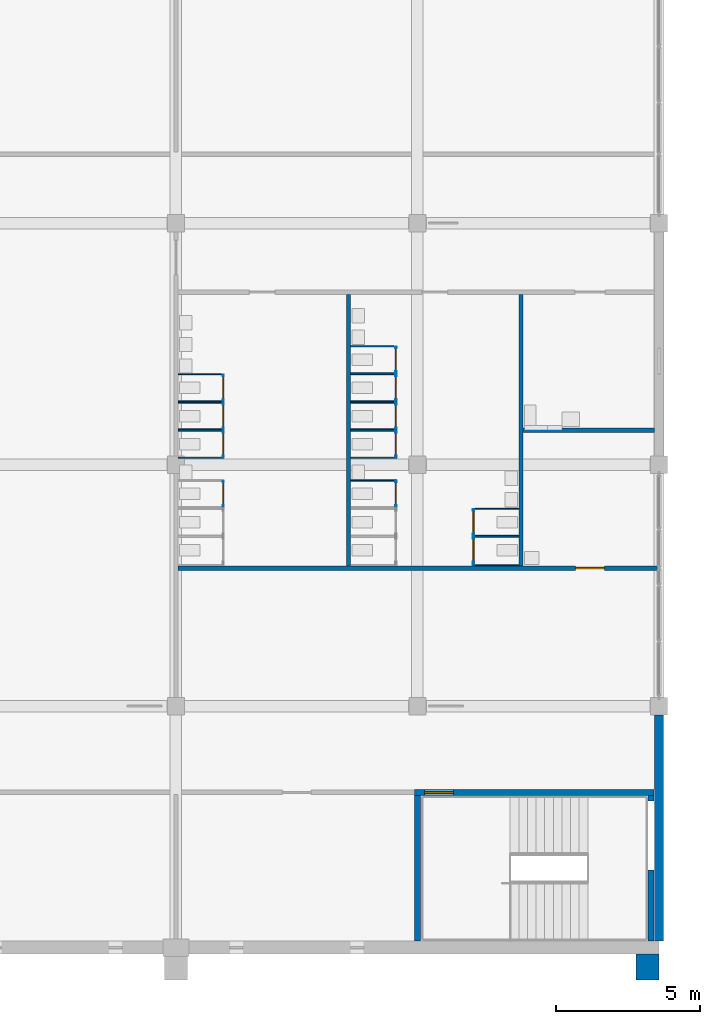
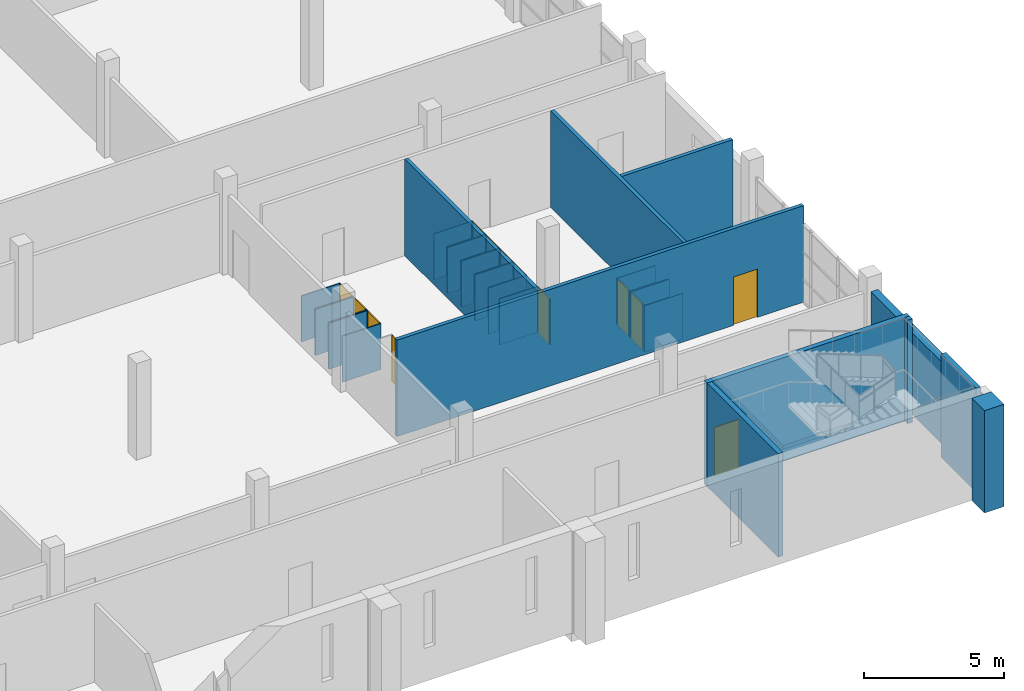
# One storey, part 27 of 56: 40 walls, 13 doors, 13 openings.
"""IFC4 building model written with IfcOpenShell, lengths in metres."""

from ifc_helpers import new_model, si_unit, direction, frame, frame_2d, origin, place, context, subcontext, project, spatial, rectangle, extrude, material, layer, layer_set, type_object, element, fill, save


model = new_model("IFC4")

# Units and contexts
model_context = context("Model", 3, precision=1e-05, world=origin(), true_north=direction((0.0, 1.0)))
body_context = subcontext(model_context, "Body", "Model", "MODEL_VIEW")
ifc_project = project(units=[si_unit("LENGTHUNIT", "METRE"), si_unit("AREAUNIT", "SQUARE_METRE"), si_unit("VOLUMEUNIT", "CUBIC_METRE"), si_unit("PLANEANGLEUNIT", "RADIAN"), si_unit("MASSUNIT", "GRAM", prefix="KILO")], contexts=[model_context])

# Site, building, storey
site_placement = place(None, origin())
site = spatial("IfcSite", under=ifc_project, at=site_placement, CompositionType="ELEMENT")
building_placement = place(site_placement, origin())
building = spatial("IfcBuilding", under=site, at=building_placement, Name="Rulbaag Community and Learning Centre", CompositionType="ELEMENT")
storey_placement = place(building_placement, frame((0.0, 0.0, 9.89990234375)))
storey = spatial("IfcBuildingStorey", under=building, at=storey_placement, Name="L02", CompositionType="ELEMENT", Elevation=9.89990234375)

# Wall, opening, door
ifc_material_1 = material(Name="High pressure laminate", Category="wood")
ifc_layer_1 = layer(ifc_material_1, 0.0400390625)
ifc_layer_set_1 = layer_set([ifc_layer_1], Name="CP-40")
wall_type_1 = type_object("IfcWallType", Name="CP-40", PredefinedType="PARTITIONING", material=ifc_layer_set_1)
wall_1_placement = place(storey_placement, frame((152.85009765625, 15.330078125, 0.0), z_axis=(0.0, 0.0, 1.0), x_axis=(0.0, 1.0, 0.0)))
wall_1 = element("IfcWall", 1, at=wall_1_placement, inside=storey, type_object=wall_type_1, Name="Cubicle partition", PredefinedType="PARTITIONING", context=body_context, shape_type="SweptSolid", body=[
    extrude(rectangle(XDim=0.89990234375, YDim=0.0400390625, at=frame_2d((0.449951171875, 0.0))), origin(), (0.0, 0.0, 1.0), 2.0),
])
opening_1_placement = place(wall_1_placement, frame((0.050048828125, 0.0, 0.0)))
opening_1 = element("IfcOpeningElement", 2, at=opening_1_placement, cuts=wall_1, Name="Opening L02-D099", PredefinedType="OPENING", context=body_context, shape_type="SweptSolid", body=[
    extrude(rectangle(XDim=0.800048828125, YDim=2.0, at=frame_2d((0.39990234375, 1.0))), frame((0.0, 0.030029296875, 0.0), z_axis=(0.0, -1.0, 0.0), x_axis=(1.0, 0.0, 0.0)), (0.0, 0.0, 1.0), 0.06005859375),
])
door_type_1 = type_object("IfcDoorType", Name="DC-80", OperationType="SINGLE_SWING_LEFT", PredefinedType="DOOR", material=ifc_material_1)
door_1_placement = place(opening_1_placement, origin())
door_1 = element("IfcDoor", 3, at=door_1_placement, inside=storey, type_object=door_type_1, Name="Cubicle door", OperationType="SINGLE_SWING_LEFT", OverallHeight=2.0, OverallWidth=0.800048828125, PredefinedType="DOOR", context=body_context, shape_type="SweptSolid", body=[
    extrude(rectangle(XDim=0.800048828125, YDim=2.0, at=frame_2d((0.39990234375, 1.0))), frame((0.0, 0.019775390625, 0.0), z_axis=(0.0, -1.0, 0.0), x_axis=(1.0, 0.0, 0.0)), (0.0, 0.0, 1.0), 0.03955078125),
])
fill(opening_1, door_1)

# Walls
for number, where, z_axis, x_axis, name in (
    (4, (151.27490234375, 17.0400390625, 0.0), (0.0, 0.0, 1.0), (1.0, 0.0, 0.0), "Cubicle partition"),
    (5, (151.27490234375, 17.97998046875, 0.0), (0.0, 0.0, 1.0), (1.0, 0.0, 0.0), "Cubicle partition"),
):
    element("IfcWall", number, at=place(storey_placement, frame(where, z_axis=z_axis, x_axis=x_axis)), inside=storey, type_object=wall_type_1, Name=name, PredefinedType="PARTITIONING", context=body_context, shape_type="SweptSolid", body=[
        extrude(rectangle(XDim=1.59521484375, YDim=0.0400390625, at=frame_2d((0.797607421875, 0.0))), origin(), (0.0, 0.0, 1.0), 2.0),
    ])

# Wall, opening, door
wall_2_placement = place(storey_placement, frame((152.85009765625, 17.06005859375, 0.0), z_axis=(0.0, 0.0, 1.0), x_axis=(0.0, 1.0, 0.0)))
wall_2 = element("IfcWall", 6, at=wall_2_placement, inside=storey, type_object=wall_type_1, Name="Cubicle partition", PredefinedType="PARTITIONING", context=body_context, shape_type="SweptSolid", body=[
    extrude(rectangle(XDim=0.89990234375, YDim=0.0400390625, at=frame_2d((0.449951171875, 0.0))), origin(), (0.0, 0.0, 1.0), 2.0),
])
opening_2_placement = place(wall_2_placement, frame((0.050048828125, 0.0, 0.0)))
opening_2 = element("IfcOpeningElement", 7, at=opening_2_placement, cuts=wall_2, Name="Opening L02-D100", PredefinedType="OPENING", context=body_context, shape_type="SweptSolid", body=[
    extrude(rectangle(XDim=0.800048828125, YDim=2.0, at=frame_2d((0.39990234375, 1.0))), frame((0.0, 0.030029296875, 0.0), z_axis=(0.0, -1.0, 0.0), x_axis=(1.0, 0.0, 0.0)), (0.0, 0.0, 1.0), 0.06005859375),
])
door_2_placement = place(opening_2_placement, origin())
door_2 = element("IfcDoor", 8, at=door_2_placement, inside=storey, type_object=door_type_1, Name="Cubicle door", OperationType="SINGLE_SWING_LEFT", OverallHeight=2.0, OverallWidth=0.800048828125, PredefinedType="DOOR", context=body_context, shape_type="SweptSolid", body=[
    extrude(rectangle(XDim=0.800048828125, YDim=2.0, at=frame_2d((0.39990234375, 1.0))), frame((0.0, 0.019775390625, 0.0), z_axis=(0.0, -1.0, 0.0), x_axis=(1.0, 0.0, 0.0)), (0.0, 0.0, 1.0), 0.03955078125),
])
fill(opening_2, door_2)

# Walls
for number, where, z_axis, x_axis, name in (
    (9, (151.27490234375, 18.02001953125, 0.0), (0.0, 0.0, 1.0), (1.0, 0.0, 0.0), "Cubicle partition"),
    (10, (151.27490234375, 18.9599609375, 0.0), (0.0, 0.0, 1.0), (1.0, 0.0, 0.0), "Cubicle partition"),
):
    element("IfcWall", number, at=place(storey_placement, frame(where, z_axis=z_axis, x_axis=x_axis)), inside=storey, type_object=wall_type_1, Name=name, PredefinedType="PARTITIONING", context=body_context, shape_type="SweptSolid", body=[
        extrude(rectangle(XDim=1.59521484375, YDim=0.0400390625, at=frame_2d((0.797607421875, 0.0))), origin(), (0.0, 0.0, 1.0), 2.0),
    ])

# Wall, opening, door
wall_3_placement = place(storey_placement, frame((152.85009765625, 18.0400390625, 0.0), z_axis=(0.0, 0.0, 1.0), x_axis=(0.0, 1.0, 0.0)))
wall_3 = element("IfcWall", 11, at=wall_3_placement, inside=storey, type_object=wall_type_1, Name="Cubicle partition", PredefinedType="PARTITIONING", context=body_context, shape_type="SweptSolid", body=[
    extrude(rectangle(XDim=0.89990234375, YDim=0.0400390625, at=frame_2d((0.449951171875, 0.0))), origin(), (0.0, 0.0, 1.0), 2.0),
])
opening_3_placement = place(wall_3_placement, frame((0.050048828125, 0.0, 0.0)))
opening_3 = element("IfcOpeningElement", 12, at=opening_3_placement, cuts=wall_3, Name="Opening L02-D101", PredefinedType="OPENING", context=body_context, shape_type="SweptSolid", body=[
    extrude(rectangle(XDim=0.800048828125, YDim=2.0, at=frame_2d((0.39990234375, 1.0))), frame((0.0, 0.030029296875, 0.0), z_axis=(0.0, -1.0, 0.0), x_axis=(1.0, 0.0, 0.0)), (0.0, 0.0, 1.0), 0.06005859375),
])
door_3_placement = place(opening_3_placement, origin())
door_3 = element("IfcDoor", 13, at=door_3_placement, inside=storey, type_object=door_type_1, Name="Cubicle door", OperationType="SINGLE_SWING_LEFT", OverallHeight=2.0, OverallWidth=0.800048828125, PredefinedType="DOOR", context=body_context, shape_type="SweptSolid", body=[
    extrude(rectangle(XDim=0.800048828125, YDim=2.0, at=frame_2d((0.39990234375, 1.0))), frame((0.0, 0.019775390625, 0.0), z_axis=(0.0, -1.0, 0.0), x_axis=(1.0, 0.0, 0.0)), (0.0, 0.0, 1.0), 0.03955078125),
])
fill(opening_3, door_3)

# Walls
for number, where, z_axis, x_axis, name in (
    (14, (151.27490234375, 19.0, 0.0), (0.0, 0.0, 1.0), (1.0, 0.0, 0.0), "Cubicle partition"),
    (15, (151.27490234375, 19.93994140625, 0.0), (0.0, 0.0, 1.0), (1.0, 0.0, 0.0), "Cubicle partition"),
):
    element("IfcWall", number, at=place(storey_placement, frame(where, z_axis=z_axis, x_axis=x_axis)), inside=storey, type_object=wall_type_1, Name=name, PredefinedType="PARTITIONING", context=body_context, shape_type="SweptSolid", body=[
        extrude(rectangle(XDim=1.59521484375, YDim=0.0400390625, at=frame_2d((0.797607421875, 0.0))), origin(), (0.0, 0.0, 1.0), 2.0),
    ])

# Wall, opening, door
wall_4_placement = place(storey_placement, frame((152.85009765625, 19.02001953125, 0.0), z_axis=(0.0, 0.0, 1.0), x_axis=(0.0, 1.0, 0.0)))
wall_4 = element("IfcWall", 16, at=wall_4_placement, inside=storey, type_object=wall_type_1, Name="Cubicle partition", PredefinedType="PARTITIONING", context=body_context, shape_type="SweptSolid", body=[
    extrude(rectangle(XDim=0.89990234375, YDim=0.0400390625, at=frame_2d((0.449951171875, 0.0))), origin(), (0.0, 0.0, 1.0), 2.0),
])
opening_4_placement = place(wall_4_placement, frame((0.050048828125, 0.0, 0.0)))
opening_4 = element("IfcOpeningElement", 17, at=opening_4_placement, cuts=wall_4, Name="Opening L02-D102", PredefinedType="OPENING", context=body_context, shape_type="SweptSolid", body=[
    extrude(rectangle(XDim=0.800048828125, YDim=2.0, at=frame_2d((0.39990234375, 1.0))), frame((0.0, 0.030029296875, 0.0), z_axis=(0.0, -1.0, 0.0), x_axis=(1.0, 0.0, 0.0)), (0.0, 0.0, 1.0), 0.06005859375),
])
door_4_placement = place(opening_4_placement, origin())
door_4 = element("IfcDoor", 18, at=door_4_placement, inside=storey, type_object=door_type_1, Name="Cubicle door", OperationType="SINGLE_SWING_LEFT", OverallHeight=2.0, OverallWidth=0.800048828125, PredefinedType="DOOR", context=body_context, shape_type="SweptSolid", body=[
    extrude(rectangle(XDim=0.800048828125, YDim=2.0, at=frame_2d((0.39990234375, 1.0))), frame((0.0, 0.019775390625, 0.0), z_axis=(0.0, -1.0, 0.0), x_axis=(1.0, 0.0, 0.0)), (0.0, 0.0, 1.0), 0.03955078125),
])
fill(opening_4, door_4)

# Wall
wall_5_placement = place(storey_placement, frame((157.27490234375, 16.25, 0.0), z_axis=(0.0, 0.0, 1.0), x_axis=(1.0, 0.0, 0.0)))
element("IfcWall", 19, at=wall_5_placement, inside=storey, type_object=wall_type_1, Name="Cubicle partition", PredefinedType="PARTITIONING", context=body_context, shape_type="SweptSolid", body=[
    extrude(rectangle(XDim=1.59521484375, YDim=0.0400390625, at=frame_2d((0.797607421875, 0.0))), origin(), (0.0, 0.0, 1.0), 2.0),
])

# Wall, opening, door
wall_6_placement = place(storey_placement, frame((158.85009765625, 15.330078125, 0.0), z_axis=(0.0, 0.0, 1.0), x_axis=(0.0, 1.0, 0.0)))
wall_6 = element("IfcWall", 20, at=wall_6_placement, inside=storey, type_object=wall_type_1, Name="Cubicle partition", PredefinedType="PARTITIONING", context=body_context, shape_type="SweptSolid", body=[
    extrude(rectangle(XDim=0.89990234375, YDim=0.0400390625, at=frame_2d((0.449951171875, 0.0))), origin(), (0.0, 0.0, 1.0), 2.0),
])
opening_5_placement = place(wall_6_placement, frame((0.050048828125, 0.0, 0.0)))
opening_5 = element("IfcOpeningElement", 21, at=opening_5_placement, cuts=wall_6, Name="Opening L02-D113", PredefinedType="OPENING", context=body_context, shape_type="SweptSolid", body=[
    extrude(rectangle(XDim=0.800048828125, YDim=2.0, at=frame_2d((0.39990234375, 1.0))), frame((0.0, 0.030029296875, 0.0), z_axis=(0.0, -1.0, 0.0), x_axis=(1.0, 0.0, 0.0)), (0.0, 0.0, 1.0), 0.06005859375),
])
door_5_placement = place(opening_5_placement, origin())
door_5 = element("IfcDoor", 22, at=door_5_placement, inside=storey, type_object=door_type_1, Name="Cubicle door", OperationType="SINGLE_SWING_LEFT", OverallHeight=2.0, OverallWidth=0.800048828125, PredefinedType="DOOR", context=body_context, shape_type="SweptSolid", body=[
    extrude(rectangle(XDim=0.800048828125, YDim=2.0, at=frame_2d((0.39990234375, 1.0))), frame((0.0, 0.019775390625, 0.0), z_axis=(0.0, -1.0, 0.0), x_axis=(1.0, 0.0, 0.0)), (0.0, 0.0, 1.0), 0.03955078125),
])
fill(opening_5, door_5)

# Walls
for number, where, z_axis, x_axis, name in (
    (23, (157.27490234375, 17.0400390625, 0.0), (0.0, 0.0, 1.0), (1.0, 0.0, 0.0), "Cubicle partition"),
    (24, (157.27490234375, 17.97998046875, 0.0), (0.0, 0.0, 1.0), (1.0, 0.0, 0.0), "Cubicle partition"),
):
    element("IfcWall", number, at=place(storey_placement, frame(where, z_axis=z_axis, x_axis=x_axis)), inside=storey, type_object=wall_type_1, Name=name, PredefinedType="PARTITIONING", context=body_context, shape_type="SweptSolid", body=[
        extrude(rectangle(XDim=1.59521484375, YDim=0.0400390625, at=frame_2d((0.797607421875, 0.0))), origin(), (0.0, 0.0, 1.0), 2.0),
    ])

# Wall, opening, door
wall_7_placement = place(storey_placement, frame((158.85009765625, 17.06005859375, 0.0), z_axis=(0.0, 0.0, 1.0), x_axis=(0.0, 1.0, 0.0)))
wall_7 = element("IfcWall", 25, at=wall_7_placement, inside=storey, type_object=wall_type_1, Name="Cubicle partition", PredefinedType="PARTITIONING", context=body_context, shape_type="SweptSolid", body=[
    extrude(rectangle(XDim=0.89990234375, YDim=0.0400390625, at=frame_2d((0.449951171875, 0.0))), origin(), (0.0, 0.0, 1.0), 2.0),
])
opening_6_placement = place(wall_7_placement, frame((0.050048828125, 0.0, 0.0)))
opening_6 = element("IfcOpeningElement", 26, at=opening_6_placement, cuts=wall_7, Name="Opening L02-D114", PredefinedType="OPENING", context=body_context, shape_type="SweptSolid", body=[
    extrude(rectangle(XDim=0.800048828125, YDim=2.0, at=frame_2d((0.39990234375, 1.0))), frame((0.0, 0.030029296875, 0.0), z_axis=(0.0, -1.0, 0.0), x_axis=(1.0, 0.0, 0.0)), (0.0, 0.0, 1.0), 0.06005859375),
])
door_6_placement = place(opening_6_placement, origin())
door_6 = element("IfcDoor", 27, at=door_6_placement, inside=storey, type_object=door_type_1, Name="Cubicle door", OperationType="SINGLE_SWING_LEFT", OverallHeight=2.0, OverallWidth=0.800048828125, PredefinedType="DOOR", context=body_context, shape_type="SweptSolid", body=[
    extrude(rectangle(XDim=0.800048828125, YDim=2.0, at=frame_2d((0.39990234375, 1.0))), frame((0.0, 0.019775390625, 0.0), z_axis=(0.0, -1.0, 0.0), x_axis=(1.0, 0.0, 0.0)), (0.0, 0.0, 1.0), 0.03955078125),
])
fill(opening_6, door_6)

# Walls
for number, where, z_axis, x_axis, name in (
    (28, (157.27490234375, 18.02001953125, 0.0), (0.0, 0.0, 1.0), (1.0, 0.0, 0.0), "Cubicle partition"),
    (29, (157.27490234375, 18.9599609375, 0.0), (0.0, 0.0, 1.0), (1.0, 0.0, 0.0), "Cubicle partition"),
):
    element("IfcWall", number, at=place(storey_placement, frame(where, z_axis=z_axis, x_axis=x_axis)), inside=storey, type_object=wall_type_1, Name=name, PredefinedType="PARTITIONING", context=body_context, shape_type="SweptSolid", body=[
        extrude(rectangle(XDim=1.59521484375, YDim=0.0400390625, at=frame_2d((0.797607421875, 0.0))), origin(), (0.0, 0.0, 1.0), 2.0),
    ])

# Wall, opening, door
wall_8_placement = place(storey_placement, frame((158.85009765625, 18.0400390625, 0.0), z_axis=(0.0, 0.0, 1.0), x_axis=(0.0, 1.0, 0.0)))
wall_8 = element("IfcWall", 30, at=wall_8_placement, inside=storey, type_object=wall_type_1, Name="Cubicle partition", PredefinedType="PARTITIONING", context=body_context, shape_type="SweptSolid", body=[
    extrude(rectangle(XDim=0.89990234375, YDim=0.0400390625, at=frame_2d((0.449951171875, 0.0))), origin(), (0.0, 0.0, 1.0), 2.0),
])
opening_7_placement = place(wall_8_placement, frame((0.050048828125, 0.0, 0.0)))
opening_7 = element("IfcOpeningElement", 31, at=opening_7_placement, cuts=wall_8, Name="Opening L02-D115", PredefinedType="OPENING", context=body_context, shape_type="SweptSolid", body=[
    extrude(rectangle(XDim=0.800048828125, YDim=2.0, at=frame_2d((0.39990234375, 1.0))), frame((0.0, 0.030029296875, 0.0), z_axis=(0.0, -1.0, 0.0), x_axis=(1.0, 0.0, 0.0)), (0.0, 0.0, 1.0), 0.06005859375),
])
door_7_placement = place(opening_7_placement, origin())
door_7 = element("IfcDoor", 32, at=door_7_placement, inside=storey, type_object=door_type_1, Name="Cubicle door", OperationType="SINGLE_SWING_LEFT", OverallHeight=2.0, OverallWidth=0.800048828125, PredefinedType="DOOR", context=body_context, shape_type="SweptSolid", body=[
    extrude(rectangle(XDim=0.800048828125, YDim=2.0, at=frame_2d((0.39990234375, 1.0))), frame((0.0, 0.019775390625, 0.0), z_axis=(0.0, -1.0, 0.0), x_axis=(1.0, 0.0, 0.0)), (0.0, 0.0, 1.0), 0.03955078125),
])
fill(opening_7, door_7)

# Walls
for number, where, z_axis, x_axis, name in (
    (33, (157.27490234375, 19.0, 0.0), (0.0, 0.0, 1.0), (1.0, 0.0, 0.0), "Cubicle partition"),
    (34, (157.27490234375, 19.93994140625, 0.0), (0.0, 0.0, 1.0), (1.0, 0.0, 0.0), "Cubicle partition"),
):
    element("IfcWall", number, at=place(storey_placement, frame(where, z_axis=z_axis, x_axis=x_axis)), inside=storey, type_object=wall_type_1, Name=name, PredefinedType="PARTITIONING", context=body_context, shape_type="SweptSolid", body=[
        extrude(rectangle(XDim=1.59521484375, YDim=0.0400390625, at=frame_2d((0.797607421875, 0.0))), origin(), (0.0, 0.0, 1.0), 2.0),
    ])

# Wall, opening, door
wall_9_placement = place(storey_placement, frame((158.85009765625, 19.02001953125, 0.0), z_axis=(0.0, 0.0, 1.0), x_axis=(0.0, 1.0, 0.0)))
wall_9 = element("IfcWall", 35, at=wall_9_placement, inside=storey, type_object=wall_type_1, Name="Cubicle partition", PredefinedType="PARTITIONING", context=body_context, shape_type="SweptSolid", body=[
    extrude(rectangle(XDim=0.89990234375, YDim=0.0400390625, at=frame_2d((0.449951171875, 0.0))), origin(), (0.0, 0.0, 1.0), 2.0),
])
opening_8_placement = place(wall_9_placement, frame((0.050048828125, 0.0, 0.0)))
opening_8 = element("IfcOpeningElement", 36, at=opening_8_placement, cuts=wall_9, Name="Opening L02-D116", PredefinedType="OPENING", context=body_context, shape_type="SweptSolid", body=[
    extrude(rectangle(XDim=0.800048828125, YDim=2.0, at=frame_2d((0.39990234375, 1.0))), frame((0.0, 0.030029296875, 0.0), z_axis=(0.0, -1.0, 0.0), x_axis=(1.0, 0.0, 0.0)), (0.0, 0.0, 1.0), 0.06005859375),
])
door_8_placement = place(opening_8_placement, origin())
door_8 = element("IfcDoor", 37, at=door_8_placement, inside=storey, type_object=door_type_1, Name="Cubicle door", OperationType="SINGLE_SWING_LEFT", OverallHeight=2.0, OverallWidth=0.800048828125, PredefinedType="DOOR", context=body_context, shape_type="SweptSolid", body=[
    extrude(rectangle(XDim=0.800048828125, YDim=2.0, at=frame_2d((0.39990234375, 1.0))), frame((0.0, 0.019775390625, 0.0), z_axis=(0.0, -1.0, 0.0), x_axis=(1.0, 0.0, 0.0)), (0.0, 0.0, 1.0), 0.03955078125),
])
fill(opening_8, door_8)

# Walls
for number, where, z_axis, x_axis, name in (
    (38, (157.27490234375, 19.97998046875, 0.0), (0.0, 0.0, 1.0), (1.0, 0.0, 0.0), "Cubicle partition"),
    (39, (157.27490234375, 20.919921875, 0.0), (0.0, 0.0, 1.0), (1.0, 0.0, 0.0), "Cubicle partition"),
):
    element("IfcWall", number, at=place(storey_placement, frame(where, z_axis=z_axis, x_axis=x_axis)), inside=storey, type_object=wall_type_1, Name=name, PredefinedType="PARTITIONING", context=body_context, shape_type="SweptSolid", body=[
        extrude(rectangle(XDim=1.59521484375, YDim=0.0400390625, at=frame_2d((0.797607421875, 0.0))), origin(), (0.0, 0.0, 1.0), 2.0),
    ])

# Wall, opening, door
wall_10_placement = place(storey_placement, frame((158.85009765625, 20.0, 0.0), z_axis=(0.0, 0.0, 1.0), x_axis=(0.0, 1.0, 0.0)))
wall_10 = element("IfcWall", 40, at=wall_10_placement, inside=storey, type_object=wall_type_1, Name="Cubicle partition", PredefinedType="PARTITIONING", context=body_context, shape_type="SweptSolid", body=[
    extrude(rectangle(XDim=0.89990234375, YDim=0.0400390625, at=frame_2d((0.449951171875, 0.0))), origin(), (0.0, 0.0, 1.0), 2.0),
])
opening_9_placement = place(wall_10_placement, frame((0.050048828125, 0.0, 0.0)))
opening_9 = element("IfcOpeningElement", 41, at=opening_9_placement, cuts=wall_10, Name="Opening L02-D117", PredefinedType="OPENING", context=body_context, shape_type="SweptSolid", body=[
    extrude(rectangle(XDim=0.800048828125, YDim=2.0, at=frame_2d((0.39990234375, 1.0))), frame((0.0, 0.030029296875, 0.0), z_axis=(0.0, -1.0, 0.0), x_axis=(1.0, 0.0, 0.0)), (0.0, 0.0, 1.0), 0.06005859375),
])
door_9_placement = place(opening_9_placement, origin())
door_9 = element("IfcDoor", 42, at=door_9_placement, inside=storey, type_object=door_type_1, Name="Cubicle door", OperationType="SINGLE_SWING_LEFT", OverallHeight=2.0, OverallWidth=0.800048828125, PredefinedType="DOOR", context=body_context, shape_type="SweptSolid", body=[
    extrude(rectangle(XDim=0.800048828125, YDim=2.0, at=frame_2d((0.39990234375, 1.0))), frame((0.0, 0.019775390625, 0.0), z_axis=(0.0, -1.0, 0.0), x_axis=(1.0, 0.0, 0.0)), (0.0, 0.0, 1.0), 0.03955078125),
])
fill(opening_9, door_9)

# Walls
for number, where, z_axis, x_axis, name in (
    (43, (163.125, 13.294921875, 0.0), (0.0, 0.0, 1.0), (-1.0, 0.0, 0.0), "Cubicle partition"),
    (44, (163.125, 14.2900390625, 0.0), (0.0, 0.0, 1.0), (-1.0, 0.0, 0.0), "Cubicle partition"),
):
    element("IfcWall", number, at=place(storey_placement, frame(where, z_axis=z_axis, x_axis=x_axis)), inside=storey, type_object=wall_type_1, Name=name, PredefinedType="PARTITIONING", context=body_context, shape_type="SweptSolid", body=[
        extrude(rectangle(XDim=1.594970703125, YDim=0.0400390625, at=frame_2d((0.79736328125, 0.0))), origin(), (0.0, 0.0, 1.0), 2.0),
    ])

# Wall, opening, door
wall_11_placement = place(storey_placement, frame((161.550048828125, 13.31494140625, 0.0), z_axis=(0.0, 0.0, 1.0), x_axis=(0.0, 1.0, 0.0)))
wall_11 = element("IfcWall", 45, at=wall_11_placement, inside=storey, type_object=wall_type_1, Name="Cubicle partition", PredefinedType="PARTITIONING", context=body_context, shape_type="SweptSolid", body=[
    extrude(rectangle(XDim=0.955078125, YDim=0.0400390625, at=frame_2d((0.4775390625, 0.0))), origin(), (0.0, 0.0, 1.0), 2.0),
])
opening_10_placement = place(wall_11_placement, frame((0.10498046875, 0.0, 0.0)))
opening_10 = element("IfcOpeningElement", 46, at=opening_10_placement, cuts=wall_11, Name="Opening L02-D125", PredefinedType="OPENING", context=body_context, shape_type="SweptSolid", body=[
    extrude(rectangle(XDim=0.800048828125, YDim=2.0, at=frame_2d((0.39990234375, 1.0))), frame((0.0, 0.030029296875, 0.0), z_axis=(0.0, -1.0, 0.0), x_axis=(1.0, 0.0, 0.0)), (0.0, 0.0, 1.0), 0.06005859375),
])
door_10_placement = place(opening_10_placement, origin())
door_10 = element("IfcDoor", 47, at=door_10_placement, inside=storey, type_object=door_type_1, Name="Cubicle door", OperationType="SINGLE_SWING_LEFT", OverallHeight=2.0, OverallWidth=0.800048828125, PredefinedType="DOOR", context=body_context, shape_type="SweptSolid", body=[
    extrude(rectangle(XDim=0.800048828125, YDim=2.0, at=frame_2d((0.39990234375, 1.0))), frame((0.0, 0.019775390625, 0.0), z_axis=(0.0, -1.0, 0.0), x_axis=(1.0, 0.0, 0.0)), (0.0, 0.0, 1.0), 0.03955078125),
])
fill(opening_10, door_10)

# Walls
for number, where, z_axis, x_axis, name in (
    (48, (163.125, 14.330078125, 0.0), (0.0, 0.0, 1.0), (-1.0, 0.0, 0.0), "Cubicle partition"),
    (49, (163.125, 15.27001953125, 0.0), (0.0, 0.0, 1.0), (-1.0, 0.0, 0.0), "Cubicle partition"),
):
    element("IfcWall", number, at=place(storey_placement, frame(where, z_axis=z_axis, x_axis=x_axis)), inside=storey, type_object=wall_type_1, Name=name, PredefinedType="PARTITIONING", context=body_context, shape_type="SweptSolid", body=[
        extrude(rectangle(XDim=1.594970703125, YDim=0.0400390625, at=frame_2d((0.79736328125, 0.0))), origin(), (0.0, 0.0, 1.0), 2.0),
    ])

# Wall, opening, door
wall_12_placement = place(storey_placement, frame((161.550048828125, 14.35009765625, 0.0), z_axis=(0.0, 0.0, 1.0), x_axis=(0.0, 1.0, 0.0)))
wall_12 = element("IfcWall", 50, at=wall_12_placement, inside=storey, type_object=wall_type_1, Name="Cubicle partition", PredefinedType="PARTITIONING", context=body_context, shape_type="SweptSolid", body=[
    extrude(rectangle(XDim=0.89990234375, YDim=0.0400390625, at=frame_2d((0.449951171875, 0.0))), origin(), (0.0, 0.0, 1.0), 2.0),
])
opening_11_placement = place(wall_12_placement, frame((0.050048828125, 0.0, 0.0)))
opening_11 = element("IfcOpeningElement", 51, at=opening_11_placement, cuts=wall_12, Name="Opening L02-D126", PredefinedType="OPENING", context=body_context, shape_type="SweptSolid", body=[
    extrude(rectangle(XDim=0.800048828125, YDim=2.0, at=frame_2d((0.39990234375, 1.0))), frame((0.0, 0.030029296875, 0.0), z_axis=(0.0, -1.0, 0.0), x_axis=(1.0, 0.0, 0.0)), (0.0, 0.0, 1.0), 0.06005859375),
])
door_11_placement = place(opening_11_placement, origin())
door_11 = element("IfcDoor", 52, at=door_11_placement, inside=storey, type_object=door_type_1, Name="Cubicle door", OperationType="SINGLE_SWING_LEFT", OverallHeight=2.0, OverallWidth=0.800048828125, PredefinedType="DOOR", context=body_context, shape_type="SweptSolid", body=[
    extrude(rectangle(XDim=0.800048828125, YDim=2.0, at=frame_2d((0.39990234375, 1.0))), frame((0.0, 0.019775390625, 0.0), z_axis=(0.0, -1.0, 0.0), x_axis=(1.0, 0.0, 0.0)), (0.0, 0.0, 1.0), 0.03955078125),
])
fill(opening_11, door_11)

# Walls
ifc_material_2 = material(Name="Concrete M40", Category="concrete")
ifc_layer_2 = layer(ifc_material_2, 0.800048828125)
ifc_layer_set_2 = layer_set([ifc_layer_2], Name="EW-BTR")
wall_type_2 = type_object("IfcWallType", Name="EW-BTR", PredefinedType="SOLIDWALL", material=ifc_layer_set_2)
wall_13_placement = place(storey_placement, frame((167.60009765625, -0.22509765625, -0.25), z_axis=(0.0, 0.0, 1.0), x_axis=(0.0, -1.0, 0.0)))
element("IfcWall", 53, at=wall_13_placement, inside=storey, type_object=wall_type_2, Name="Buttress pier", PredefinedType="SOLIDWALL", context=body_context, shape_type="SweptSolid", body=[
    extrude(rectangle(XDim=0.89990234375, YDim=0.800048828125, at=frame_2d((0.449951171875, 0.0))), origin(), (0.0, 0.0, 1.0), 4.4501953125),
])
ifc_layer_3 = layer(ifc_material_2, 0.300048828125)
ifc_layer_set_3 = layer_set([ifc_layer_3], Name="EW-CONC300")
wall_type_3 = type_object("IfcWallType", Name="EW-CONC300", PredefinedType="STANDARD", material=ifc_layer_set_3)
wall_14_placement = place(storey_placement, frame((168.0, 0.22509765625, 0.0), z_axis=(0.0, 0.0, 1.0), x_axis=(0.0, 1.0, 0.0)))
element("IfcWall", 54, at=wall_14_placement, inside=storey, type_object=wall_type_3, Name="Board-marked concrete cladding wall AE", PredefinedType="STANDARD", context=body_context, shape_type="SweptSolid", body=[
    extrude(rectangle(XDim=7.875, YDim=0.300048828125, at=frame_2d((3.9375, 0.0))), origin(), (0.0, 0.0, 1.0), 3.550048828125),
])

# Wall, opening, door
ifc_material_3 = material(Name="Concrete blockwork", Category="masonry")
ifc_layer_4 = layer(ifc_material_3, 0.14990234375)
ifc_layer_set_4 = layer_set([ifc_layer_4], Name="IP-150 PARTITION 150")
wall_type_4 = type_object("IfcWallType", Name="IP-150 PARTITION 150", PredefinedType="PARTITIONING", material=ifc_layer_set_4)
wall_15_placement = place(storey_placement, frame((151.27490234375, 13.199951171875, 0.0), z_axis=(0.0, 0.0, 1.0), x_axis=(1.0, 0.0, 0.0)))
wall_15 = element("IfcWall", 55, at=wall_15_placement, inside=storey, type_object=wall_type_4, Name="Partition L02 10", PredefinedType="PARTITIONING", context=body_context, shape_type="SweptSolid", body=[
    extrude(rectangle(XDim=16.72509765625, YDim=0.14990234375, at=frame_2d((8.362548828125, 0.0))), origin(), (0.0, 0.0, 1.0), 4.2001953125),
])
opening_12_placement = place(wall_15_placement, frame((13.824951171875, 0.0, 0.0)))
opening_12 = element("IfcOpeningElement", 56, at=opening_12_placement, cuts=wall_15, Name="Opening L02-D136", PredefinedType="OPENING", context=body_context, shape_type="SweptSolid", body=[
    extrude(rectangle(XDim=1.0, YDim=2.10009765625, at=frame_2d((0.5, 1.050048828125))), frame((0.0, 0.0849609375, 0.0), z_axis=(0.0, -1.0, 0.0), x_axis=(1.0, 0.0, 0.0)), (0.0, 0.0, 1.0), 0.169921875),
])
ifc_material_4 = material(Name="Timber", Category="wood")
door_type_2 = type_object("IfcDoorType", Name="D-1000 DOOR 1000 x 2100", OperationType="SINGLE_SWING_LEFT", PredefinedType="DOOR", material=ifc_material_4)
door_12_placement = place(opening_12_placement, origin())
door_12 = element("IfcDoor", 57, at=door_12_placement, inside=storey, type_object=door_type_2, Name="Door L02-D136", OperationType="SINGLE_SWING_RIGHT", OverallHeight=2.10009765625, OverallWidth=1.0, PredefinedType="DOOR", context=body_context, shape_type="SweptSolid", body=[
    extrude(rectangle(XDim=1.0, YDim=2.10009765625, at=frame_2d((0.5, 1.050048828125))), frame((0.0, 0.02490234375, 0.0), z_axis=(0.0, -1.0, 0.0), x_axis=(1.0, 0.0, 0.0)), (0.0, 0.0, 1.0), 0.050048828125),
])
fill(opening_12, door_12)

# Walls
wall_16_placement = place(storey_placement, frame((163.27490234375, 18.0, 0.0), z_axis=(0.0, 0.0, 1.0), x_axis=(1.0, 0.0, 0.0)))
element("IfcWall", 58, at=wall_16_placement, inside=storey, type_object=wall_type_4, Name="Partition L02 13", PredefinedType="PARTITIONING", context=body_context, shape_type="SweptSolid", body=[
    extrude(rectangle(XDim=4.5751953125, YDim=0.14990234375, at=frame_2d((2.28759765625, 0.0))), origin(), (0.0, 0.0, 1.0), 4.2001953125),
])
for number, where, z_axis, x_axis, name in (
    (59, (157.199951171875, 13.27490234375, 0.0), (0.0, 0.0, 1.0), (0.0, 1.0, 0.0), "Partition L02 82"),
    (60, (163.199951171875, 13.27490234375, 0.0), (0.0, 0.0, 1.0), (0.0, 1.0, 0.0), "Partition L02 86"),
):
    element("IfcWall", number, at=place(storey_placement, frame(where, z_axis=z_axis, x_axis=x_axis)), inside=storey, type_object=wall_type_4, Name=name, PredefinedType="PARTITIONING", context=body_context, shape_type="SweptSolid", body=[
        extrude(rectangle(XDim=9.4501953125, YDim=0.14990234375, at=frame_2d((4.72509765625, 0.0))), origin(), (0.0, 0.0, 1.0), 4.2001953125),
    ])

# Wall, opening, door
ifc_layer_5 = layer(ifc_material_2, 0.199951171875)
ifc_layer_set_5 = layer_set([ifc_layer_5], Name="WSE Stair enclosure wall 200 Concrete M40")
wall_type_5 = type_object("IfcWallType", Name="WSE Stair enclosure wall 200 Concrete M40", PredefinedType="SHEAR", material=ifc_layer_set_5)
wall_17_placement = place(storey_placement, frame((159.5, 5.39990234375, -0.2998046875), z_axis=(0.0, 0.0, 1.0), x_axis=(1.0, 0.0, 0.0)))
wall_17 = element("IfcWall", 61, at=wall_17_placement, inside=storey, type_object=wall_type_5, Name="Stair enclosure wall SH10 N L02", PredefinedType="SHEAR", context=body_context, shape_type="SweptSolid", body=[
    extrude(rectangle(XDim=8.324951171875, YDim=0.199951171875, at=frame_2d((4.16259765625, 0.0))), origin(), (0.0, 0.0, 1.0), 4.5),
])
opening_13_placement = place(wall_17_placement, frame((0.35009765625, 0.0, 0.300048828125)))
opening_13 = element("IfcOpeningElement", 62, at=opening_13_placement, cuts=wall_17, Name="Opening L02-D120", PredefinedType="OPENING", context=body_context, shape_type="SweptSolid", body=[
    extrude(rectangle(XDim=1.0, YDim=2.10009765625, at=frame_2d((0.5, 1.050048828125))), frame((0.0, 0.10986328125, 0.0), z_axis=(0.0, -1.0, 0.0), x_axis=(1.0, 0.0, 0.0)), (0.0, 0.0, 1.0), 0.219970703125),
])
ifc_material_5 = material(Name="Galvanised steel", Category="steel")
door_type_3 = type_object("IfcDoorType", Name="FD-1000 FIRE DOOR 1000 x 2100", OperationType="SINGLE_SWING_LEFT", PredefinedType="DOOR", material=ifc_material_5)
door_13_placement = place(opening_13_placement, origin())
door_13 = element("IfcDoor", 63, at=door_13_placement, inside=storey, type_object=door_type_3, Name="Door L02-D120", OperationType="SINGLE_SWING_LEFT", OverallHeight=2.10009765625, OverallWidth=1.0, PredefinedType="DOOR", context=body_context, shape_type="SweptSolid", body=[
    extrude(rectangle(XDim=1.0, YDim=2.10009765625, at=frame_2d((0.5, 1.050048828125))), frame((0.0, 0.02490234375, 0.0), z_axis=(0.0, -1.0, 0.0), x_axis=(1.0, 0.0, 0.0)), (0.0, 0.0, 1.0), 0.050048828125),
])
fill(opening_13, door_13)

# Walls
wall_18_placement = place(storey_placement, frame((159.60009765625, 0.22509765625, -0.2998046875), z_axis=(0.0, 0.0, 1.0), x_axis=(0.0, 1.0, 0.0)))
element("IfcWall", 64, at=wall_18_placement, inside=storey, type_object=wall_type_5, Name="Stair enclosure wall SH10 W L02", PredefinedType="SHEAR", context=body_context, shape_type="SweptSolid", body=[
    extrude(rectangle(XDim=5.074951171875, YDim=0.199951171875, at=frame_2d((2.53759765625, 0.0))), origin(), (0.0, 0.0, 1.0), 4.5),
])
wall_19_placement = place(storey_placement, frame((167.72509765625, 0.22509765625, -0.2998046875), z_axis=(0.0, 0.0, 1.0), x_axis=(0.0, 1.0, 0.0)))
element("IfcWall", 65, at=wall_19_placement, inside=storey, type_object=wall_type_5, Name="Stair enclosure wall SH10 E L02", PredefinedType="SHEAR", context=body_context, shape_type="SweptSolid", body=[
    extrude(rectangle(XDim=2.474853515625, YDim=0.199951171875, at=frame_2d((1.2373046875, 0.0))), origin(), (0.0, 0.0, 1.0), 4.5),
])
wall_20_placement = place(storey_placement, frame((167.72509765625, 5.10009765625, -0.2998046875), z_axis=(0.0, 0.0, 1.0), x_axis=(0.0, 1.0, 0.0)))
element("IfcWall", 66, at=wall_20_placement, inside=storey, type_object=wall_type_5, Name="Stair enclosure wall SH10 E L02", PredefinedType="SHEAR", context=body_context, shape_type="SweptSolid", body=[
    extrude(rectangle(XDim=0.199951171875, YDim=0.199951171875, at=frame_2d((0.10009765625, 0.0))), origin(), (0.0, 0.0, 1.0), 4.5),
])

save(model, "model.ifc")
